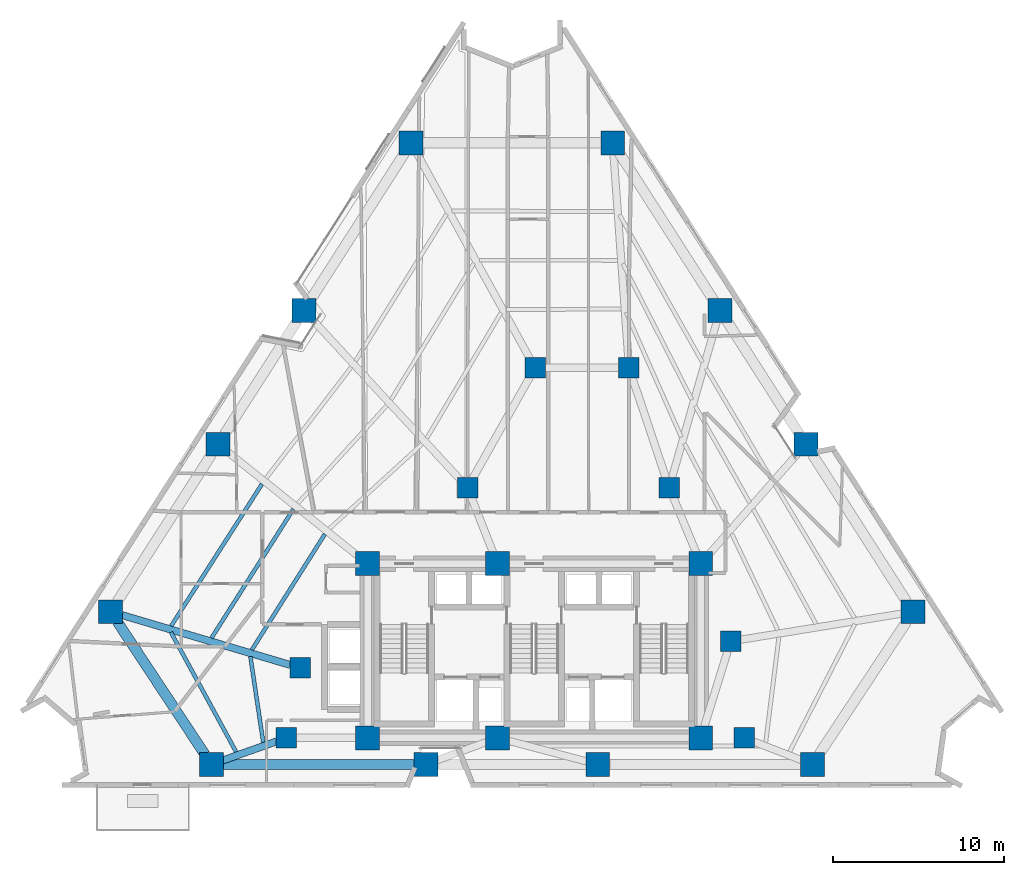
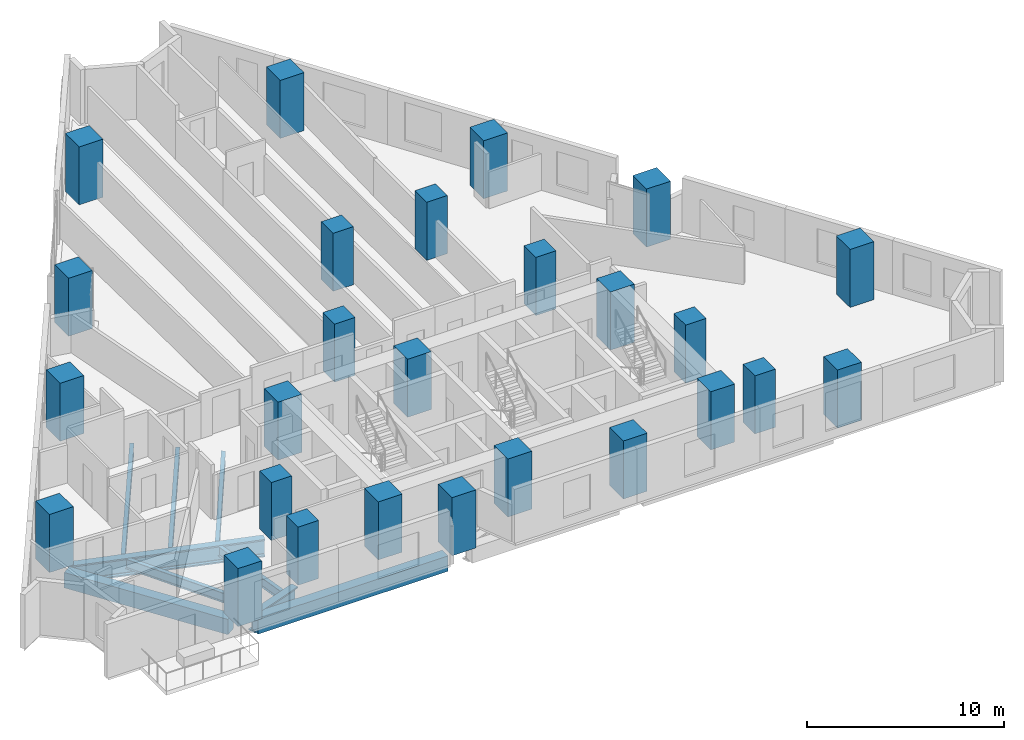
# One storey, part 1 of 15: 26 columns, 9 beams.
"""IFC4 building model written with IfcOpenShell, lengths in metres."""

from ifc_helpers import new_model, si_unit, direction, frame, origin, origin_2d, place, context, subcontext, project, spatial, rectangle, i_section, extrude, material, material_profile, profile_set, type_object, element, save


model = new_model("IFC4")

# Units and contexts
model_context = context("Model", 3, precision=1e-05, world=origin(), true_north=direction((0.0, 1.0)))
body_context = subcontext(model_context, "Body", "Model", "MODEL_VIEW")
ifc_project = project(units=[si_unit("LENGTHUNIT", "METRE"), si_unit("AREAUNIT", "SQUARE_METRE"), si_unit("VOLUMEUNIT", "CUBIC_METRE"), si_unit("PLANEANGLEUNIT", "RADIAN"), si_unit("MASSUNIT", "GRAM", prefix="KILO")], contexts=[model_context])

# Site, building, storey
site_placement = place(None, origin())
site = spatial("IfcSite", under=ifc_project, at=site_placement, CompositionType="ELEMENT")
building_placement = place(site_placement, origin())
building = spatial("IfcBuilding", under=site, at=building_placement, Name="Almagre Mirador Tower", CompositionType="ELEMENT")
storey_placement = place(building_placement, frame((0.0, 0.0, 39.0)))
storey = spatial("IfcBuildingStorey", under=building, at=storey_placement, Name="L08", CompositionType="ELEMENT", Elevation=39.0)

# Columns
ifc_material_1 = material(Name="Concrete C60/75", Category="concrete")
ifc_material_profile_1 = material_profile(ifc_material_1, rectangle(XDim=1.199951171875, YDim=1.199951171875, at=origin_2d()), Name="RC1200X1200")
ifc_profile_set_1 = profile_set([ifc_material_profile_1], Name="Concrete C60/75")
column_type_1 = type_object("IfcColumnType", Name="COL-RC1200", PredefinedType="COLUMN", material=ifc_profile_set_1)
for number, where, z_axis, x_axis, name in (
    (1, (22.800048828125, 4.550048828125, 0.0), (0.0, 0.0, 1.0), (1.0, 0.0, 0.0), "L08 interior transfer column MC1"),
    (2, (49.60009765625, 4.550048828125, 0.0), (0.0, 0.0, 1.0), (1.0, 0.0, 0.0), "L08 interior transfer column MC2"),
    (3, (48.800048828125, 10.199951171875, 0.0), (0.0, 0.0, 1.0), (1.0, 0.0, 0.0), "L08 interior transfer column MC3"),
    (4, (45.199951171875, 19.199951171875, 0.0), (0.0, 0.0, 1.0), (1.0, 0.0, 0.0), "L08 interior transfer column MC5"),
    (5, (42.85009765625, 26.199951171875, 0.0), (0.0, 0.0, 1.0), (1.0, 0.0, 0.0), "L08 interior transfer column MC6"),
    (6, (37.35009765625, 26.199951171875, 0.0), (0.0, 0.0, 1.0), (1.0, 0.0, 0.0), "L08 interior transfer column MC7"),
    (7, (33.39990234375, 19.199951171875, 0.0), (0.0, 0.0, 1.0), (1.0, 0.0, 0.0), "L08 interior transfer column MC8"),
    (8, (23.60009765625, 8.64990234375, 0.0), (0.0, 0.0, 1.0), (1.0, 0.0, 0.0), "L08 interior transfer column MC10"),
):
    element("IfcColumn", number, at=place(storey_placement, frame(where, z_axis=z_axis, x_axis=x_axis)), inside=storey, type_object=column_type_1, Name=name, PredefinedType="COLUMN", context=body_context, shape_type="SweptSolid", body=[
        extrude(rectangle(XDim=1.199951171875, YDim=1.199951171875, at=origin_2d()), origin(), (0.0, 0.0, 1.0), 3.60009765625),
    ])
ifc_material_2 = material(Name="Concrete C60/75", Category="concrete")
ifc_material_profile_2 = material_profile(ifc_material_2, rectangle(XDim=1.39990234375, YDim=1.39990234375, at=origin_2d()), Name="RC1400X1400")
ifc_profile_set_2 = profile_set([ifc_material_profile_2], Name="Concrete C60/75")
column_type_2 = type_object("IfcColumnType", Name="COL-RC1400", PredefinedType="COLUMN", material=ifc_profile_set_2)
for number, where, z_axis, x_axis, name in (
    (9, (27.550048828125, 4.550048828125, 0.0), (0.0, 0.0, 1.0), (1.0, 0.0, 0.0), "L08 core spine column CC1"),
    (10, (35.14990234375, 4.550048828125, 0.0), (0.0, 0.0, 1.0), (1.0, 0.0, 0.0), "L08 core spine column CC2"),
    (11, (47.050048828125, 4.550048828125, 0.0), (0.0, 0.0, 1.0), (1.0, 0.0, 0.0), "L08 core spine column CC3"),
    (12, (27.550048828125, 14.75, 0.0), (0.0, 0.0, 1.0), (1.0, 0.0, 0.0), "L08 core spine column CC4"),
    (13, (35.14990234375, 14.75, 0.0), (0.0, 0.0, 1.0), (1.0, 0.0, 0.0), "L08 core spine column CC5"),
    (14, (47.050048828125, 14.75, 0.0), (0.0, 0.0, 1.0), (1.0, 0.0, 0.0), "L08 core spine column CC6"),
    (15, (18.416015625, 3.0, 0.0), (0.0, 0.0, 1.0), (1.0, 0.0, 0.0), "L08 perimeter column PC01"),
    (16, (30.97607421875, 3.0, 0.0), (0.0, 0.0, 1.0), (1.0, 0.0, 0.0), "L08 perimeter column PC02"),
    (17, (41.02392578125, 3.0, 0.0), (0.0, 0.0, 1.0), (1.0, 0.0, 0.0), "L08 perimeter column PC03"),
    (18, (53.583984375, 3.0, 0.0), (0.0, 0.0, 1.0), (1.0, 0.0, 0.0), "L08 perimeter column PC04"),
    (19, (59.48193359375, 11.93310546875, 0.0), (0.0, 0.0, 1.0), (1.0, 0.0, 0.0), "L08 perimeter column PC05"),
    (20, (53.201904296875, 21.73291015625, 0.0), (0.0, 0.0, 1.0), (1.0, 0.0, 0.0), "L08 perimeter column PC06"),
    (21, (48.177978515625, 29.572998046875, 0.0), (0.0, 0.0, 1.0), (1.0, 0.0, 0.0), "L08 perimeter column PC07"),
    (22, (41.89794921875, 39.373046875, 0.0), (0.0, 0.0, 1.0), (1.0, 0.0, 0.0), "L08 perimeter column PC08"),
    (23, (30.10205078125, 39.373046875, 0.0), (0.0, 0.0, 1.0), (1.0, 0.0, 0.0), "L08 perimeter column PC09"),
    (24, (23.822021484375, 29.572998046875, 0.0), (0.0, 0.0, 1.0), (1.0, 0.0, 0.0), "L08 perimeter column PC10"),
    (25, (18.798095703125, 21.73291015625, 0.0), (0.0, 0.0, 1.0), (1.0, 0.0, 0.0), "L08 perimeter column PC11"),
    (26, (12.51806640625, 11.93310546875, 0.0), (0.0, 0.0, 1.0), (1.0, 0.0, 0.0), "L08 perimeter column PC12"),
):
    element("IfcColumn", number, at=place(storey_placement, frame(where, z_axis=z_axis, x_axis=x_axis)), inside=storey, type_object=column_type_2, Name=name, PredefinedType="COLUMN", context=body_context, shape_type="SweptSolid", body=[
        extrude(rectangle(XDim=1.39990234375, YDim=1.39990234375, at=origin_2d()), origin(), (0.0, 0.0, 1.0), 3.60009765625),
    ])

# Beams
ifc_material_3 = material(Name="Steel ASTM A992 Grade 50", Category="steel")
ifc_material_profile_3 = material_profile(ifc_material_3, i_section(OverallWidth=0.22802734375, OverallDepth=0.60791015625, WebThickness=0.01123046875, FlangeThickness=0.017333984375, FilletRadius=0.02001953125, at=origin_2d()), Name="W24X76")
ifc_profile_set_3 = profile_set([ifc_material_profile_3], Name="Steel ASTM A992 Grade 50")
beam_type_1 = type_object("IfcBeamType", Name="BM-JST-W24X76", PredefinedType="JOIST", material=ifc_profile_set_3)
beam_1_placement = place(storey_placement, frame((21.375, 19.406982421875, -0.553955078125), z_axis=(-0.53899541112, -0.842308700413, 0.0), x_axis=(0.842308700413, -0.53899541112, 0.0)))
element("IfcBeam", 27, at=beam_1_placement, inside=storey, type_object=beam_type_1, Name="L08 secondary floor joist PC11-PC12.1", PredefinedType="JOIST", context=body_context, shape_type="SweptSolid", body=[
    extrude(i_section(OverallWidth=0.22802734375, OverallDepth=0.60791015625, WebThickness=0.01123046875, FlangeThickness=0.017333984375, FilletRadius=0.02001953125, at=origin_2d()), origin(), (0.0, 0.0, 1.0), 9.86572265625),
])
beam_2_placement = place(storey_placement, frame((23.21337890625, 17.9404296875, -0.553955078125), z_axis=(-0.536567926307, -0.843857132729, 0.0), x_axis=(0.843857132729, -0.536567926307, 0.0)))
element("IfcBeam", 28, at=beam_2_placement, inside=storey, type_object=beam_type_1, Name="L08 secondary floor joist PC11-PC12.2", PredefinedType="JOIST", context=body_context, shape_type="SweptSolid", body=[
    extrude(i_section(OverallWidth=0.22802734375, OverallDepth=0.60791015625, WebThickness=0.01123046875, FlangeThickness=0.017333984375, FilletRadius=0.02001953125, at=origin_2d()), origin(), (0.0, 0.0, 1.0), 8.93798828125),
])
beam_3_placement = place(storey_placement, frame((25.0517578125, 16.4736328125, -0.553955078125), z_axis=(-0.533607646591, -0.845732155886, 0.0), x_axis=(0.845732155886, -0.533607646591, 0.0)))
element("IfcBeam", 29, at=beam_3_placement, inside=storey, type_object=beam_type_1, Name="L08 secondary floor joist PC11-PC12.3", PredefinedType="JOIST", context=body_context, shape_type="SweptSolid", body=[
    extrude(i_section(OverallWidth=0.22802734375, OverallDepth=0.60791015625, WebThickness=0.01123046875, FlangeThickness=0.017333984375, FilletRadius=0.02001953125, at=origin_2d()), origin(), (0.0, 0.0, 1.0), 8.010498046875),
])
beam_4_placement = place(storey_placement, frame((16.044677734375, 10.732177734375, -0.553955078125), z_axis=(0.478467993504, -0.878104993262, 0.0), x_axis=(0.878104993262, 0.478467993504, 0.0)))
element("IfcBeam", 30, at=beam_4_placement, inside=storey, type_object=beam_type_1, Name="L08 secondary floor joist PC12-PC01.1", PredefinedType="JOIST", context=body_context, shape_type="SweptSolid", body=[
    extrude(i_section(OverallWidth=0.22802734375, OverallDepth=0.60791015625, WebThickness=0.01123046875, FlangeThickness=0.017333984375, FilletRadius=0.02001953125, at=origin_2d()), origin(), (0.0, 0.0, 1.0), 7.9716796875),
])
beam_5_placement = place(storey_placement, frame((20.695556640625, 9.31005859375, -0.553955078125), z_axis=(0.147716912035, -0.989029683022, 0.0), x_axis=(0.989029683022, 0.147716912035, 0.0)))
element("IfcBeam", 31, at=beam_5_placement, inside=storey, type_object=beam_type_1, Name="L08 secondary floor joist PC12-PC01.3", PredefinedType="JOIST", context=body_context, shape_type="SweptSolid", body=[
    extrude(i_section(OverallWidth=0.22802734375, OverallDepth=0.60791015625, WebThickness=0.01123046875, FlangeThickness=0.017333984375, FilletRadius=0.02001953125, at=origin_2d()), origin(), (0.0, 0.0, 1.0), 5.073974609375),
])
ifc_material_4 = material(Name="Precast concrete C50/60", Category="concrete")
ifc_material_profile_4 = material_profile(ifc_material_4, rectangle(XDim=0.60009765625, YDim=0.949951171875, at=origin_2d()), Name="RC600X950")
ifc_profile_set_4 = profile_set([ifc_material_profile_4], Name="Precast concrete C50/60")
beam_type_2 = type_object("IfcBeamType", Name="BM-SPN-RC600X950", PredefinedType="SPANDREL", material=ifc_profile_set_4)
beam_6_placement = place(storey_placement, frame((19.115966796875, 3.0, -0.72509765625), z_axis=(1.0, 0.0, 0.0), x_axis=(0.0, 1.0, 0.0)))
element("IfcBeam", 32, at=beam_6_placement, inside=storey, type_object=beam_type_2, Name="L08 perimeter spandrel beam PC01-PC02", PredefinedType="SPANDREL", context=body_context, shape_type="SweptSolid", body=[
    extrude(rectangle(XDim=0.60009765625, YDim=0.949951171875, at=origin_2d()), origin(), (0.0, 0.0, 1.0), 11.159912109375),
])
beam_7_placement = place(storey_placement, frame((12.90380859375, 11.348876953125, -0.72509765625), z_axis=(0.550976725149, -0.834520609898, 0.0), x_axis=(0.834520609898, 0.550976725149, 0.0)))
element("IfcBeam", 33, at=beam_7_placement, inside=storey, type_object=beam_type_2, Name="L08 perimeter spandrel beam PC12-PC01", PredefinedType="SPANDREL", context=body_context, shape_type="SweptSolid", body=[
    extrude(rectangle(XDim=0.60009765625, YDim=0.949951171875, at=origin_2d()), origin(), (0.0, 0.0, 1.0), 9.304443359375),
])
ifc_material_5 = material(Name="Steel ASTM A913 Grade 65", Category="steel")
ifc_material_profile_5 = material_profile(ifc_material_5, i_section(OverallWidth=0.424072265625, OverallDepth=1.092041015625, WebThickness=0.04541015625, FlangeThickness=0.08203125, FilletRadius=0.030029296875, at=origin_2d()), Name="W40X593")
ifc_profile_set_5 = profile_set([ifc_material_profile_5], Name="Steel ASTM A913 Grade 65")
beam_type_3 = type_object("IfcBeamType", Name="BM-STL-W40X593", PredefinedType="BEAM", material=ifc_profile_set_5)
beam_8_placement = place(storey_placement, frame((19.075927734375, 3.2333984375, -0.7958984375), z_axis=(0.942807214234, 0.333338501809, 0.0), x_axis=(-0.333338501809, 0.942807214234, 0.0)))
element("IfcBeam", 34, at=beam_8_placement, inside=storey, type_object=beam_type_3, Name="L08 radial floor girder PC01-MC1", PredefinedType="BEAM", context=body_context, shape_type="SweptSolid", body=[
    extrude(i_section(OverallWidth=0.424072265625, OverallDepth=1.092041015625, WebThickness=0.04541015625, FlangeThickness=0.08203125, FilletRadius=0.030029296875, at=origin_2d()), origin(), (0.0, 0.0, 1.0), 3.35009765625),
])
beam_9_placement = place(storey_placement, frame((13.189208984375, 11.734130859375, -0.7958984375), z_axis=(0.958808436431, -0.284053484804, 0.0), x_axis=(0.284053484804, 0.958808436431, 0.0)))
element("IfcBeam", 35, at=beam_9_placement, inside=storey, type_object=beam_type_3, Name="L08 radial floor girder PC12-MC10", PredefinedType="BEAM", context=body_context, shape_type="SweptSolid", body=[
    extrude(i_section(OverallWidth=0.424072265625, OverallDepth=1.092041015625, WebThickness=0.04541015625, FlangeThickness=0.08203125, FilletRadius=0.030029296875, at=origin_2d()), origin(), (0.0, 0.0, 1.0), 10.258056640625),
])

save(model, "model.ifc")
